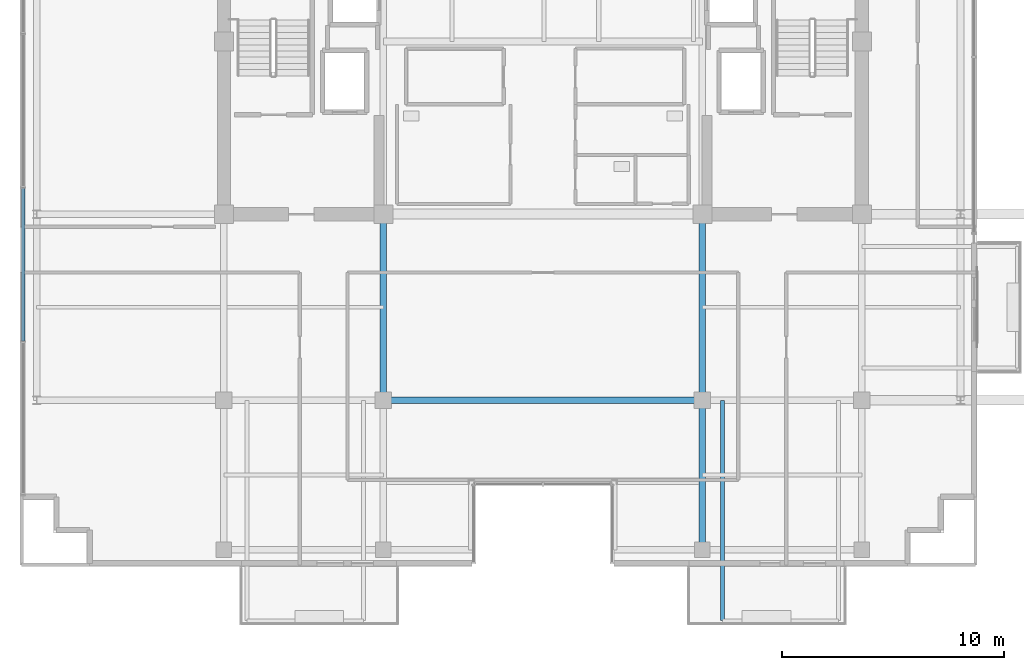
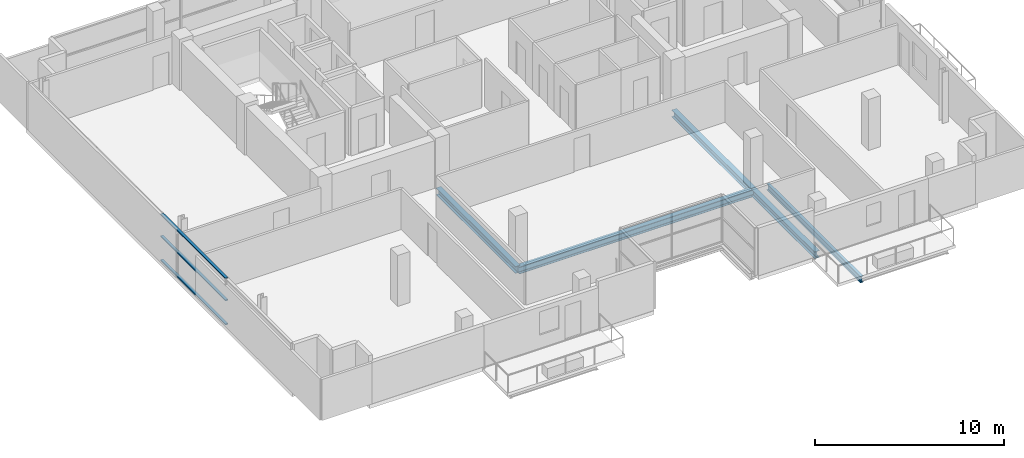
# One storey, part 8 of 24: 5 beams, 3 members, 1 element without a shape of its own.
"""IFC4 building model written with IfcOpenShell, lengths in metres."""

from ifc_helpers import new_model, si_unit, direction, frame, origin, origin_2d, place, context, subcontext, project, spatial, hollow_rectangle, i_section, extrude, source, transform, mapped, material, layer, layer_set, material_profile, profile_set, type_object, element, aggregate, save


model = new_model("IFC4")

# Units and contexts
model_context = context("Model", 3, precision=1e-05, world=origin(), true_north=direction((0.0, 1.0)))
body_context = subcontext(model_context, "Body", "Model", "MODEL_VIEW")
ifc_project = project(units=[si_unit("LENGTHUNIT", "METRE"), si_unit("AREAUNIT", "SQUARE_METRE"), si_unit("VOLUMEUNIT", "CUBIC_METRE"), si_unit("PLANEANGLEUNIT", "RADIAN"), si_unit("MASSUNIT", "GRAM", prefix="KILO")], contexts=[model_context])

# Site, building, storey
site_placement = place(None, origin())
site = spatial("IfcSite", under=ifc_project, at=site_placement, CompositionType="ELEMENT")
building_placement = place(site_placement, origin())
building = spatial("IfcBuilding", under=site, at=building_placement, Name="Zarnakvel Exchange Tower", CompositionType="ELEMENT")
storey_placement = place(building_placement, frame((0.0, 0.0, 205.60009765625)))
storey = spatial("IfcBuildingStorey", under=building, at=storey_placement, Name="L57", CompositionType="ELEMENT", Elevation=205.60009765625)

# Beams
ifc_material_1 = material(Name="Steel S355", Category="steel")
ifc_material_profile_1 = material_profile(ifc_material_1, i_section(OverallWidth=0.179931640625, OverallDepth=0.39990234375, WebThickness=0.008544921875, FlangeThickness=0.013427734375, FilletRadius=0.02099609375, at=origin_2d()))
ifc_profile_set_1 = profile_set([ifc_material_profile_1], Name="Steel S355")
beam_type_1 = type_object("IfcBeamType", Name="B-06", PredefinedType="JOIST", material=ifc_profile_set_1)
beam_1_placement = place(storey_placement, frame((8.10009765625, -9.60009765625, -0.4501953125), z_axis=(0.0, -1.0, 0.0), x_axis=(1.0, 0.0, 0.0)))
element("IfcBeam", 1, at=beam_1_placement, inside=storey, type_object=beam_type_1, Name="L57 Continuous Back-Spanned Balcony Beam W", PredefinedType="JOIST", context=body_context, shape_type="SweptSolid", body=[
    extrude(i_section(OverallWidth=0.179931640625, OverallDepth=0.39990234375, WebThickness=0.008544921875, FlangeThickness=0.013427734375, FilletRadius=0.02099609375, at=origin_2d()), origin(), (0.0, 0.0, 1.0), 9.949951171875),
])
ifc_material_profile_2 = material_profile(ifc_material_1, i_section(OverallWidth=0.300048828125, OverallDepth=0.449951171875, WebThickness=0.013916015625, FlangeThickness=0.02587890625, FilletRadius=0.027099609375, at=origin_2d()))
ifc_profile_set_2 = profile_set([ifc_material_profile_2], Name="Steel S355")
beam_type_2 = type_object("IfcBeamType", Name="G-07", PredefinedType="BEAM", material=ifc_profile_set_2)
beam_2_placement = place(storey_placement, frame((-7.199951171875, -9.60009765625, -0.47509765625), z_axis=(1.0, 0.0, 0.0), x_axis=(0.0, 1.0, 0.0)))
element("IfcBeam", 2, at=beam_2_placement, inside=storey, type_object=beam_type_2, Name="L57 Tower E-W Frame Beam", PredefinedType="BEAM", context=body_context, shape_type="SweptSolid", body=[
    extrude(i_section(OverallWidth=0.300048828125, OverallDepth=0.449951171875, WebThickness=0.013916015625, FlangeThickness=0.02587890625, FilletRadius=0.027099609375, at=origin_2d()), origin(), (0.0, 0.0, 1.0), 14.39990234375),
])
beam_3_placement = place(storey_placement, frame((-7.199951171875, -9.60009765625, -0.47509765625), z_axis=(0.0, 1.0, 0.0), x_axis=(-1.0, 0.0, 0.0)))
element("IfcBeam", 3, at=beam_3_placement, inside=storey, type_object=beam_type_2, Name="L57 Tower N-S Frame Beam", PredefinedType="BEAM", context=body_context, shape_type="SweptSolid", body=[
    extrude(i_section(OverallWidth=0.300048828125, OverallDepth=0.449951171875, WebThickness=0.013916015625, FlangeThickness=0.02587890625, FilletRadius=0.027099609375, at=origin_2d()), origin(), (0.0, 0.0, 1.0), 8.400146484375),
])
beam_4_placement = place(storey_placement, frame((7.199951171875, -16.35009765625, -0.47509765625), z_axis=(0.0, 1.0, 0.0), x_axis=(-1.0, 0.0, 0.0)))
element("IfcBeam", 4, at=beam_4_placement, inside=storey, type_object=beam_type_2, Name="L57 Tower N-S Frame Beam", PredefinedType="BEAM", context=body_context, shape_type="SweptSolid", body=[
    extrude(i_section(OverallWidth=0.300048828125, OverallDepth=0.449951171875, WebThickness=0.013916015625, FlangeThickness=0.02587890625, FilletRadius=0.027099609375, at=origin_2d()), origin(), (0.0, 0.0, 1.0), 6.75),
])
beam_5_placement = place(storey_placement, frame((7.199951171875, -9.60009765625, -0.47509765625), z_axis=(0.0, 1.0, 0.0), x_axis=(-1.0, 0.0, 0.0)))
element("IfcBeam", 5, at=beam_5_placement, inside=storey, type_object=beam_type_2, Name="L57 Tower N-S Frame Beam", PredefinedType="BEAM", context=body_context, shape_type="SweptSolid", body=[
    extrude(i_section(OverallWidth=0.300048828125, OverallDepth=0.449951171875, WebThickness=0.013916015625, FlangeThickness=0.02587890625, FilletRadius=0.027099609375, at=origin_2d()), origin(), (0.0, 0.0, 1.0), 8.400146484375),
])

# Curtain wall, members
ifc_material_2 = material(Name="Architectural Bronze Anodised Aluminium", Category="aluminium")
ifc_layer = layer(ifc_material_2, 0.199951171875)
ifc_layer_set = layer_set([ifc_layer], Name="Architectural Bronze Anodised Aluminium")
curtain_wall_type = type_object("IfcCurtainWallType", Name="CW-04", PredefinedType="NOTDEFINED", material=ifc_layer_set)
curtain_wall_placement = place(storey_placement, origin())
curtain_wall = element("IfcCurtainWall", 6, at=curtain_wall_placement, inside=storey, type_object=curtain_wall_type, Name="L57 Curtain Wall CW-L57-W1 (CW-04)", PredefinedType="NOTDEFINED")
ifc_material_profile_3 = material_profile(ifc_material_2, hollow_rectangle(XDim=0.159912109375, YDim=0.074951171875, WallThickness=0.00390625, at=origin_2d()))
ifc_profile_set_3 = profile_set([ifc_material_profile_3], Name="Architectural Bronze Anodised Aluminium")
member_type = type_object("IfcMemberType", Name="CWT-04", PredefinedType="USERDEFINED", material=ifc_profile_set_3)
shared_shape = source(origin(), body_context, "Body", "SweptSolid", [
    extrude(hollow_rectangle(XDim=0.159912109375, YDim=0.074951171875, WallThickness=0.00390625, at=origin_2d()), origin(), (0.0, 0.0, 1.0), 6.875),
])
member_1_placement = place(storey_placement, frame((-23.4599609375, -6.91259765625, 0.037353515625), z_axis=(0.0, 1.0, 0.0), x_axis=(-1.0, 0.0, 0.0)))
member_1 = element("IfcMember", 7, at=member_1_placement, type_object=member_type, Name="CW-04 transom 2.1", ObjectType="TRANSOM", PredefinedType="USERDEFINED", context=body_context, shape_type="MappedRepresentation", body=[
    mapped(shared_shape, transform((0.0, 0.0, 0.0), x_axis=(1.0, 0.0, 0.0), y_axis=(0.0, 1.0, 0.0), z_axis=(0.0, 0.0, 1.0), scale=1.0)),
])
member_2_placement = place(storey_placement, frame((-23.4599609375, -6.91259765625, 1.588623046875), z_axis=(0.0, 1.0, 0.0), x_axis=(-1.0, 0.0, 0.0)))
member_2 = element("IfcMember", 8, at=member_2_placement, type_object=member_type, Name="CW-04 transom 2.2", ObjectType="TRANSOM", PredefinedType="USERDEFINED", context=body_context, shape_type="MappedRepresentation", body=[
    mapped(shared_shape, transform((0.0, 0.0, 0.0), x_axis=(1.0, 0.0, 0.0), y_axis=(0.0, 1.0, 0.0), z_axis=(0.0, 0.0, 1.0), scale=1.0)),
])
member_3_placement = place(storey_placement, frame((-23.4599609375, -6.91259765625, 3.017333984375), z_axis=(0.0, 1.0, 0.0), x_axis=(-1.0, 0.0, 0.0)))
member_3 = element("IfcMember", 9, at=member_3_placement, type_object=member_type, Name="CW-04 transom 2.3", ObjectType="TRANSOM", PredefinedType="USERDEFINED", context=body_context, shape_type="MappedRepresentation", body=[
    mapped(shared_shape, transform((0.0, 0.0, 0.0), x_axis=(1.0, 0.0, 0.0), y_axis=(0.0, 1.0, 0.0), z_axis=(0.0, 0.0, 1.0), scale=1.0)),
])
aggregate(curtain_wall, [member_1, member_2, member_3])

save(model, "model.ifc")
